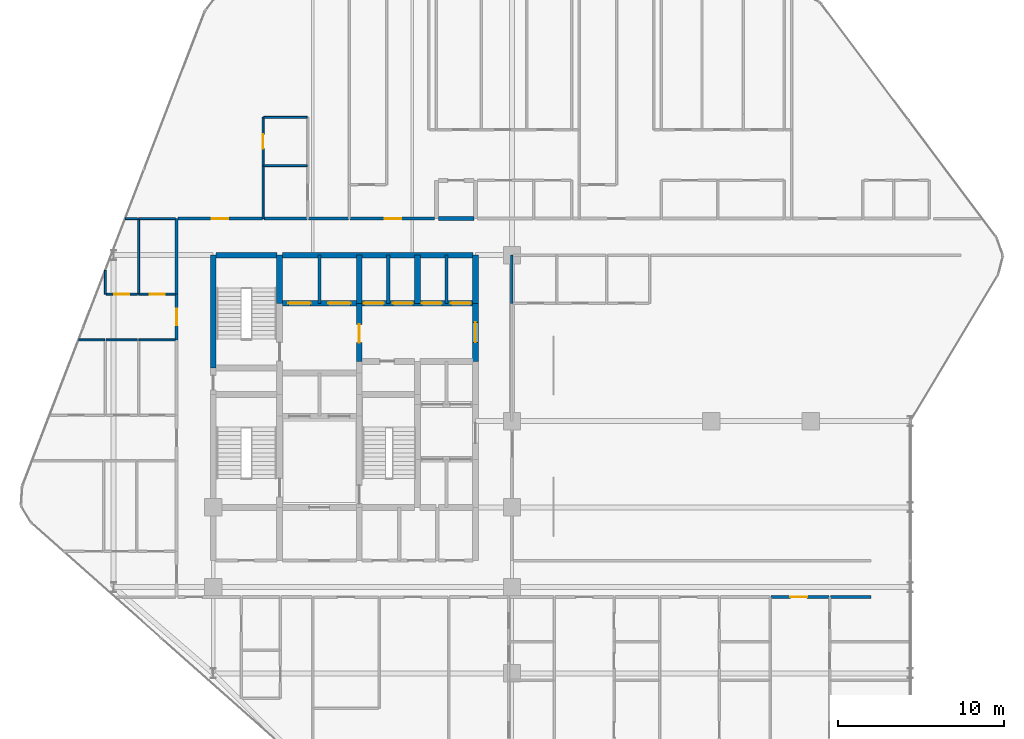
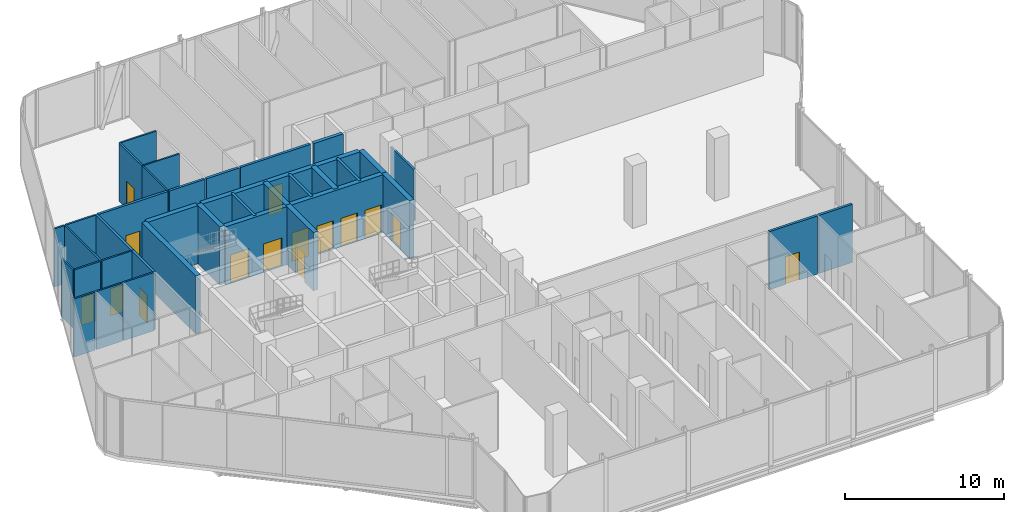
# One storey, part 26 of 29: 36 walls, 15 doors, 15 openings.
"""IFC4 building model written with IfcOpenShell, lengths in metres."""

from ifc_helpers import new_model, si_unit, direction, frame, frame_2d, origin, place, context, subcontext, project, spatial, rectangle, extrude, material, layer, layer_set, type_object, element, fill, save


model = new_model("IFC4")

# Units and contexts
model_context = context("Model", 3, precision=1e-05, world=origin(), true_north=direction((0.0, 1.0)))
body_context = subcontext(model_context, "Body", "Model", "MODEL_VIEW")
ifc_project = project(units=[si_unit("LENGTHUNIT", "METRE"), si_unit("AREAUNIT", "SQUARE_METRE"), si_unit("VOLUMEUNIT", "CUBIC_METRE"), si_unit("PLANEANGLEUNIT", "RADIAN"), si_unit("MASSUNIT", "GRAM", prefix="KILO")], contexts=[model_context])

# Site, building, storey
site_placement = place(None, origin())
site = spatial("IfcSite", under=ifc_project, at=site_placement, CompositionType="ELEMENT")
building_placement = place(site_placement, origin())
building = spatial("IfcBuilding", under=site, at=building_placement, Name="Keshet Zoharim Tower", CompositionType="ELEMENT")
storey_placement = place(building_placement, frame((0.0, 0.0, 120.5)))
storey = spatial("IfcBuildingStorey", under=building, at=storey_placement, Name="L29", CompositionType="ELEMENT", Elevation=120.5)

# Walls
ifc_material_1 = material(Name="Gypsum Plasterboard", Category="gypsum")
ifc_layer_1 = layer(ifc_material_1, 0.14990234375)
ifc_layer_set_1 = layer_set([ifc_layer_1], Name="Gypsum Plasterboard")
wall_type_1 = type_object("IfcWallType", Name="WL-CLIN-150", PredefinedType="STANDARD", material=ifc_layer_set_1)
wall_1_placement = place(storey_placement, frame((33.0, 35.0, 0.0), z_axis=(0.0, 0.0, 1.0), x_axis=(0.0, 1.0, 0.0)))
element("IfcWall", 1, at=wall_1_placement, inside=storey, type_object=wall_type_1, Name="L29 Interior Wall 072", PredefinedType="STANDARD", context=body_context, shape_type="SweptSolid", body=[
    extrude(rectangle(XDim=2.89990234375, YDim=0.14990234375, at=frame_2d((1.449951171875, 0.0))), origin(), (0.0, 0.0, 1.0), 3.97998046875),
])
ifc_material_2 = material(Name="Concrete C60/75", Category="concrete")
ifc_layer_2 = layer(ifc_material_2, 0.35009765625)
ifc_layer_set_2 = layer_set([ifc_layer_2], Name="Concrete C60/75")
wall_type_2 = type_object("IfcWallType", Name="WL-CORE-350", PredefinedType="SHEAR", material=ifc_layer_set_2)
wall_2_placement = place(storey_placement, frame((15.0, 31.10009765625, 0.0), z_axis=(0.0, 0.0, 1.0), x_axis=(0.0, 1.0, 0.0)))
element("IfcWall", 2, at=wall_2_placement, inside=storey, type_object=wall_type_2, Name="L29 Core Shear Wall 016", PredefinedType="SHEAR", context=body_context, shape_type="SweptSolid", body=[
    extrude(rectangle(XDim=6.7998046875, YDim=0.35009765625, at=frame_2d((3.39990234375, 0.0))), origin(), (0.0, 0.0, 1.0), 4.47998046875),
])
wall_3_placement = place(storey_placement, frame((19.0, 35.0, 0.0), z_axis=(0.0, 0.0, 1.0), x_axis=(0.0, 1.0, 0.0)))
element("IfcWall", 3, at=wall_3_placement, inside=storey, type_object=wall_type_2, Name="L29 Core Shear Wall 025", PredefinedType="SHEAR", context=body_context, shape_type="SweptSolid", body=[
    extrude(rectangle(XDim=2.89990234375, YDim=0.35009765625, at=frame_2d((1.449951171875, 0.0))), origin(), (0.0, 0.0, 1.0), 4.47998046875),
])

# Wall, opening, door
wall_4_placement = place(storey_placement, frame((23.800048828125, 31.5, 0.0), z_axis=(0.0, 0.0, 1.0), x_axis=(0.0, 1.0, 0.0)))
wall_4 = element("IfcWall", 4, at=wall_4_placement, inside=storey, type_object=wall_type_2, Name="L29 Core Shear Wall 041", PredefinedType="SHEAR", context=body_context, shape_type="SweptSolid", body=[
    extrude(rectangle(XDim=3.5, YDim=0.35009765625, at=frame_2d((1.75, 0.0))), origin(), (0.0, 0.0, 1.0), 4.47998046875),
])
opening_1_placement = place(wall_4_placement, frame((1.126953125, 0.0, 0.0)))
opening_1 = element("IfcOpeningElement", 5, at=opening_1_placement, cuts=wall_4, Name="Opening D-F611", PredefinedType="OPENING", context=body_context, shape_type="SweptSolid", body=[
    extrude(rectangle(XDim=1.10009765625, YDim=2.14990234375, at=frame_2d((0.550048828125, 1.074951171875))), frame((0.0, 0.18505859375, 0.0), z_axis=(0.0, -1.0, 0.0), x_axis=(1.0, 0.0, 0.0)), (0.0, 0.0, 1.0), 0.3701171875),
])
ifc_material_3 = material(Name="Hardwood Timber", Category="wood")
door_type_1 = type_object("IfcDoorType", Name="DR-FD60-110", OperationType="NOTDEFINED", PredefinedType="DOOR", material=ifc_material_3)
door_1_placement = place(opening_1_placement, origin())
door_1 = element("IfcDoor", 6, at=door_1_placement, inside=storey, type_object=door_type_1, Name="L29 Firefighting Lobby Fire Door", OperationType="SINGLE_SWING_LEFT", OverallHeight=2.14990234375, OverallWidth=1.10009765625, PredefinedType="DOOR", context=body_context, shape_type="SweptSolid", body=[
    extrude(rectangle(XDim=1.10009765625, YDim=2.14990234375, at=frame_2d((0.550048828125, 1.074951171875))), frame((0.0, 0.02490234375, 0.0), z_axis=(0.0, -1.0, 0.0), x_axis=(1.0, 0.0, 0.0)), (0.0, 0.0, 1.0), 0.050048828125),
])
fill(opening_1, door_1)

# Walls
for number, where, z_axis, x_axis, name in (
    (7, (23.800048828125, 35.0, 0.0), (0.0, 0.0, 1.0), (0.0, 1.0, 0.0), "L29 Core Shear Wall 042"),
    (8, (27.300048828125, 35.0, 0.0), (0.0, 0.0, 1.0), (0.0, 1.0, 0.0), "L29 Core Shear Wall 051"),
):
    element("IfcWall", number, at=place(storey_placement, frame(where, z_axis=z_axis, x_axis=x_axis)), inside=storey, type_object=wall_type_2, Name=name, PredefinedType="SHEAR", context=body_context, shape_type="SweptSolid", body=[
        extrude(rectangle(XDim=2.89990234375, YDim=0.35009765625, at=frame_2d((1.449951171875, 0.0))), origin(), (0.0, 0.0, 1.0), 4.47998046875),
    ])

# Wall, opening, door
wall_5_placement = place(storey_placement, frame((30.800048828125, 31.5, 0.0), z_axis=(0.0, 0.0, 1.0), x_axis=(0.0, 1.0, 0.0)))
wall_5 = element("IfcWall", 9, at=wall_5_placement, inside=storey, type_object=wall_type_2, Name="L29 Core Shear Wall 064", PredefinedType="SHEAR", context=body_context, shape_type="SweptSolid", body=[
    extrude(rectangle(XDim=3.5, YDim=0.35009765625, at=frame_2d((1.75, 0.0))), origin(), (0.0, 0.0, 1.0), 4.47998046875),
])
opening_2_placement = place(wall_5_placement, frame((1.14990234375, 0.0, 0.0)))
opening_2 = element("IfcOpeningElement", 10, at=opening_2_placement, cuts=wall_5, Name="Opening D-F612", PredefinedType="OPENING", context=body_context, shape_type="SweptSolid", body=[
    extrude(rectangle(XDim=1.199951171875, YDim=2.199951171875, at=frame_2d((0.60009765625, 1.10009765625))), frame((0.0, 0.18505859375, 0.0), z_axis=(0.0, -1.0, 0.0), x_axis=(1.0, 0.0, 0.0)), (0.0, 0.0, 1.0), 0.3701171875),
])
door_type_2 = type_object("IfcDoorType", Name="DR-FD60-120", OperationType="NOTDEFINED", PredefinedType="DOOR", material=ifc_material_3)
door_2_placement = place(opening_2_placement, origin())
door_2 = element("IfcDoor", 11, at=door_2_placement, inside=storey, type_object=door_type_2, Name="L29 North Lift Lobby East Fire Door", OperationType="SINGLE_SWING_LEFT", OverallHeight=2.199951171875, OverallWidth=1.199951171875, PredefinedType="DOOR", context=body_context, shape_type="SweptSolid", body=[
    extrude(rectangle(XDim=1.199951171875, YDim=2.199951171875, at=frame_2d((0.60009765625, 1.10009765625))), frame((0.0, 0.02490234375, 0.0), z_axis=(0.0, -1.0, 0.0), x_axis=(1.0, 0.0, 0.0)), (0.0, 0.0, 1.0), 0.050048828125),
])
fill(opening_2, door_2)

# Wall
wall_6_placement = place(storey_placement, frame((30.800048828125, 35.0, 0.0), z_axis=(0.0, 0.0, 1.0), x_axis=(0.0, 1.0, 0.0)))
element("IfcWall", 12, at=wall_6_placement, inside=storey, type_object=wall_type_2, Name="L29 Core Shear Wall 065", PredefinedType="SHEAR", context=body_context, shape_type="SweptSolid", body=[
    extrude(rectangle(XDim=2.89990234375, YDim=0.35009765625, at=frame_2d((1.449951171875, 0.0))), origin(), (0.0, 0.0, 1.0), 4.47998046875),
])

# Wall, openings, doors
wall_7_placement = place(storey_placement, frame((19.159912109375, 35.0, 0.0), z_axis=(0.0, 0.0, 1.0), x_axis=(1.0, 0.0, 0.0)))
wall_7 = element("IfcWall", 13, at=wall_7_placement, inside=storey, type_object=wall_type_2, Name="L29 Core Shear Wall 175", PredefinedType="SHEAR", context=body_context, shape_type="SweptSolid", body=[
    extrude(rectangle(XDim=11.47998046875, YDim=0.35009765625, at=frame_2d((5.739990234375, 0.0))), origin(), (0.0, 0.0, 1.0), 4.47998046875),
])
opening_3_placement = place(wall_7_placement, frame((0.364990234375, 0.0, 0.0)))
opening_3 = element("IfcOpeningElement", 14, at=opening_3_placement, cuts=wall_7, Name="Opening LD-02", PredefinedType="OPENING", context=body_context, shape_type="SweptSolid", body=[
    extrude(rectangle(XDim=1.35009765625, YDim=2.199951171875, at=frame_2d((0.675048828125, 1.10009765625))), frame((0.0, 0.18505859375, 0.0), z_axis=(0.0, -1.0, 0.0), x_axis=(1.0, 0.0, 0.0)), (0.0, 0.0, 1.0), 0.3701171875),
])
opening_4_placement = place(wall_7_placement, frame((2.764892578125, 0.0, 0.0)))
opening_4 = element("IfcOpeningElement", 15, at=opening_4_placement, cuts=wall_7, Name="Opening LD-02", PredefinedType="OPENING", context=body_context, shape_type="SweptSolid", body=[
    extrude(rectangle(XDim=1.35009765625, YDim=2.199951171875, at=frame_2d((0.675048828125, 1.10009765625))), frame((0.0, 0.18505859375, 0.0), z_axis=(0.0, -1.0, 0.0), x_axis=(1.0, 0.0, 0.0)), (0.0, 0.0, 1.0), 0.3701171875),
])
opening_5_placement = place(wall_7_placement, frame((4.9150390625, 0.0, 0.0)))
opening_5 = element("IfcOpeningElement", 16, at=opening_5_placement, cuts=wall_7, Name="Opening LD-03", PredefinedType="OPENING", context=body_context, shape_type="SweptSolid", body=[
    extrude(rectangle(XDim=1.199951171875, YDim=2.199951171875, at=frame_2d((0.60009765625, 1.10009765625))), frame((0.0, 0.18505859375, 0.0), z_axis=(0.0, -1.0, 0.0), x_axis=(1.0, 0.0, 0.0)), (0.0, 0.0, 1.0), 0.3701171875),
])
opening_6_placement = place(wall_7_placement, frame((6.6650390625, 0.0, 0.0)))
opening_6 = element("IfcOpeningElement", 17, at=opening_6_placement, cuts=wall_7, Name="Opening LD-03", PredefinedType="OPENING", context=body_context, shape_type="SweptSolid", body=[
    extrude(rectangle(XDim=1.199951171875, YDim=2.199951171875, at=frame_2d((0.60009765625, 1.10009765625))), frame((0.0, 0.18505859375, 0.0), z_axis=(0.0, -1.0, 0.0), x_axis=(1.0, 0.0, 0.0)), (0.0, 0.0, 1.0), 0.3701171875),
])
opening_7_placement = place(wall_7_placement, frame((8.4150390625, 0.0, 0.0)))
opening_7 = element("IfcOpeningElement", 18, at=opening_7_placement, cuts=wall_7, Name="Opening LD-03", PredefinedType="OPENING", context=body_context, shape_type="SweptSolid", body=[
    extrude(rectangle(XDim=1.199951171875, YDim=2.199951171875, at=frame_2d((0.60009765625, 1.10009765625))), frame((0.0, 0.18505859375, 0.0), z_axis=(0.0, -1.0, 0.0), x_axis=(1.0, 0.0, 0.0)), (0.0, 0.0, 1.0), 0.3701171875),
])
opening_8_placement = place(wall_7_placement, frame((10.159912109375, 0.0, 0.0)))
opening_8 = element("IfcOpeningElement", 19, at=opening_8_placement, cuts=wall_7, Name="Opening LD-03", PredefinedType="OPENING", context=body_context, shape_type="SweptSolid", body=[
    extrude(rectangle(XDim=1.199951171875, YDim=2.199951171875, at=frame_2d((0.60009765625, 1.10009765625))), frame((0.0, 0.18505859375, 0.0), z_axis=(0.0, -1.0, 0.0), x_axis=(1.0, 0.0, 0.0)), (0.0, 0.0, 1.0), 0.3701171875),
])
ifc_material_4 = material(Name="Steel S355", Category="steel")
door_type_3 = type_object("IfcDoorType", Name="DR-LD02-135", OperationType="DOUBLE_DOOR_SLIDING", PredefinedType="DOOR", material=ifc_material_4)
door_3_placement = place(opening_3_placement, origin())
door_3 = element("IfcDoor", 20, at=door_3_placement, inside=storey, type_object=door_type_3, Name="L29 Firefighting Lift Landing Door FF-01", OperationType="DOUBLE_DOOR_SLIDING", OverallHeight=2.199951171875, OverallWidth=1.35009765625, PredefinedType="DOOR", context=body_context, shape_type="SweptSolid", body=[
    extrude(rectangle(XDim=1.35009765625, YDim=2.199951171875, at=frame_2d((0.675048828125, 1.10009765625))), frame((0.0, 0.02490234375, 0.0), z_axis=(0.0, -1.0, 0.0), x_axis=(1.0, 0.0, 0.0)), (0.0, 0.0, 1.0), 0.050048828125),
])
fill(opening_3, door_3)
door_4_placement = place(opening_4_placement, origin())
door_4 = element("IfcDoor", 21, at=door_4_placement, inside=storey, type_object=door_type_3, Name="L29 Firefighting Lift Landing Door FF-02", OperationType="DOUBLE_DOOR_SLIDING", OverallHeight=2.199951171875, OverallWidth=1.35009765625, PredefinedType="DOOR", context=body_context, shape_type="SweptSolid", body=[
    extrude(rectangle(XDim=1.35009765625, YDim=2.199951171875, at=frame_2d((0.675048828125, 1.10009765625))), frame((0.0, 0.02490234375, 0.0), z_axis=(0.0, -1.0, 0.0), x_axis=(1.0, 0.0, 0.0)), (0.0, 0.0, 1.0), 0.050048828125),
])
fill(opening_4, door_4)
door_type_4 = type_object("IfcDoorType", Name="DR-LD03-120", OperationType="DOUBLE_DOOR_SLIDING", PredefinedType="DOOR", material=ifc_material_4)
door_5_placement = place(opening_5_placement, origin())
door_5 = element("IfcDoor", 22, at=door_5_placement, inside=storey, type_object=door_type_4, Name="L29 Passenger Lift Landing Door LF-01", OperationType="DOUBLE_DOOR_SLIDING", OverallHeight=2.199951171875, OverallWidth=1.199951171875, PredefinedType="DOOR", context=body_context, shape_type="SweptSolid", body=[
    extrude(rectangle(XDim=1.199951171875, YDim=2.199951171875, at=frame_2d((0.60009765625, 1.10009765625))), frame((0.0, 0.02490234375, 0.0), z_axis=(0.0, -1.0, 0.0), x_axis=(1.0, 0.0, 0.0)), (0.0, 0.0, 1.0), 0.050048828125),
])
fill(opening_5, door_5)
door_6_placement = place(opening_6_placement, origin())
door_6 = element("IfcDoor", 23, at=door_6_placement, inside=storey, type_object=door_type_4, Name="L29 Passenger Lift Landing Door LF-02", OperationType="DOUBLE_DOOR_SLIDING", OverallHeight=2.199951171875, OverallWidth=1.199951171875, PredefinedType="DOOR", context=body_context, shape_type="SweptSolid", body=[
    extrude(rectangle(XDim=1.199951171875, YDim=2.199951171875, at=frame_2d((0.60009765625, 1.10009765625))), frame((0.0, 0.02490234375, 0.0), z_axis=(0.0, -1.0, 0.0), x_axis=(1.0, 0.0, 0.0)), (0.0, 0.0, 1.0), 0.050048828125),
])
fill(opening_6, door_6)
door_7_placement = place(opening_7_placement, origin())
door_7 = element("IfcDoor", 24, at=door_7_placement, inside=storey, type_object=door_type_4, Name="L29 Passenger Lift Landing Door LF-03", OperationType="DOUBLE_DOOR_SLIDING", OverallHeight=2.199951171875, OverallWidth=1.199951171875, PredefinedType="DOOR", context=body_context, shape_type="SweptSolid", body=[
    extrude(rectangle(XDim=1.199951171875, YDim=2.199951171875, at=frame_2d((0.60009765625, 1.10009765625))), frame((0.0, 0.02490234375, 0.0), z_axis=(0.0, -1.0, 0.0), x_axis=(1.0, 0.0, 0.0)), (0.0, 0.0, 1.0), 0.050048828125),
])
fill(opening_7, door_7)
door_8_placement = place(opening_8_placement, origin())
door_8 = element("IfcDoor", 25, at=door_8_placement, inside=storey, type_object=door_type_4, Name="L29 Passenger Lift Landing Door LF-04", OperationType="DOUBLE_DOOR_SLIDING", OverallHeight=2.199951171875, OverallWidth=1.199951171875, PredefinedType="DOOR", context=body_context, shape_type="SweptSolid", body=[
    extrude(rectangle(XDim=1.199951171875, YDim=2.199951171875, at=frame_2d((0.60009765625, 1.10009765625))), frame((0.0, 0.02490234375, 0.0), z_axis=(0.0, -1.0, 0.0), x_axis=(1.0, 0.0, 0.0)), (0.0, 0.0, 1.0), 0.050048828125),
])
fill(opening_8, door_8)

# Walls
wall_8_placement = place(storey_placement, frame((15.159912109375, 37.89990234375, 0.0), z_axis=(0.0, 0.0, 1.0), x_axis=(1.0, 0.0, 0.0)))
element("IfcWall", 26, at=wall_8_placement, inside=storey, type_object=wall_type_2, Name="L29 Core Shear Wall 180", PredefinedType="SHEAR", context=body_context, shape_type="SweptSolid", body=[
    extrude(rectangle(XDim=3.68017578125, YDim=0.35009765625, at=frame_2d((1.840087890625, 0.0))), origin(), (0.0, 0.0, 1.0), 4.47998046875),
])
wall_9_placement = place(storey_placement, frame((19.159912109375, 37.89990234375, 0.0), z_axis=(0.0, 0.0, 1.0), x_axis=(1.0, 0.0, 0.0)))
element("IfcWall", 27, at=wall_9_placement, inside=storey, type_object=wall_type_2, Name="L29 Core Shear Wall 181", PredefinedType="SHEAR", context=body_context, shape_type="SweptSolid", body=[
    extrude(rectangle(XDim=11.47998046875, YDim=0.35009765625, at=frame_2d((5.739990234375, 0.0))), origin(), (0.0, 0.0, 1.0), 4.47998046875),
])

# Wall, opening, door
ifc_layer_3 = layer(ifc_material_1, 0.179931640625)
ifc_layer_set_3 = layer_set([ifc_layer_3], Name="Gypsum Plasterboard")
wall_type_3 = type_object("IfcWallType", Name="WL-CORR-180", PredefinedType="STANDARD", material=ifc_layer_set_3)
wall_10_placement = place(storey_placement, frame((12.800048828125, 32.800048828125, 0.0), z_axis=(0.0, 0.0, 1.0), x_axis=(0.0, 1.0, 0.0)))
wall_10 = element("IfcWall", 28, at=wall_10_placement, inside=storey, type_object=wall_type_3, Name="L29 Interior Wall 011", PredefinedType="STANDARD", context=body_context, shape_type="SweptSolid", body=[
    extrude(rectangle(XDim=2.75, YDim=0.179931640625, at=frame_2d((1.375, 0.0))), origin(), (0.0, 0.0, 1.0), 4.47998046875),
])
opening_9_placement = place(wall_10_placement, frame((0.875, 0.0, 0.0)))
opening_9 = element("IfcOpeningElement", 29, at=opening_9_placement, cuts=wall_10, Name="Opening D-F310", PredefinedType="OPENING", context=body_context, shape_type="SweptSolid", body=[
    extrude(rectangle(XDim=1.0, YDim=2.14990234375, at=frame_2d((0.5, 1.074951171875))), frame((0.0, 0.10009765625, 0.0), z_axis=(0.0, -1.0, 0.0), x_axis=(1.0, 0.0, 0.0)), (0.0, 0.0, 1.0), 0.199951171875),
])
door_type_5 = type_object("IfcDoorType", Name="DR-FD30-100", OperationType="NOTDEFINED", PredefinedType="DOOR", material=ifc_material_3)
door_9_placement = place(opening_9_placement, origin())
door_9 = element("IfcDoor", 30, at=door_9_placement, inside=storey, type_object=door_type_5, Name="Apartment 2912 Entrance Door", OperationType="SINGLE_SWING_RIGHT", OverallHeight=2.14990234375, OverallWidth=1.0, PredefinedType="DOOR", context=body_context, shape_type="SweptSolid", body=[
    extrude(rectangle(XDim=1.0, YDim=2.14990234375, at=frame_2d((0.5, 1.074951171875))), frame((0.0, 0.02490234375, 0.0), z_axis=(0.0, -1.0, 0.0), x_axis=(1.0, 0.0, 0.0)), (0.0, 0.0, 1.0), 0.050048828125),
])
fill(opening_9, door_9)

# Wall
wall_11_placement = place(storey_placement, frame((12.800048828125, 35.550048828125, 0.0), z_axis=(0.0, 0.0, 1.0), x_axis=(0.0, 1.0, 0.0)))
element("IfcWall", 31, at=wall_11_placement, inside=storey, type_object=wall_type_3, Name="L29 Interior Wall 012", PredefinedType="STANDARD", context=body_context, shape_type="SweptSolid", body=[
    extrude(rectangle(XDim=4.550048828125, YDim=0.179931640625, at=frame_2d((2.27490234375, 0.0))), origin(), (0.0, 0.0, 1.0), 4.47998046875),
])

# Wall, opening, door
wall_12_placement = place(storey_placement, frame((48.594970703125, 17.300048828125, 0.0), z_axis=(0.0, 0.0, 1.0), x_axis=(1.0, 0.0, 0.0)))
wall_12 = element("IfcWall", 32, at=wall_12_placement, inside=storey, type_object=wall_type_3, Name="L29 Interior Wall 142", PredefinedType="STANDARD", context=body_context, shape_type="SweptSolid", body=[
    extrude(rectangle(XDim=3.510009765625, YDim=0.179931640625, at=frame_2d((1.7548828125, 0.0))), origin(), (0.0, 0.0, 1.0), 4.47998046875),
])
opening_10_placement = place(wall_12_placement, frame((1.18505859375, 0.0, 0.0)))
opening_10 = element("IfcOpeningElement", 33, at=opening_10_placement, cuts=wall_12, Name="Opening D-F310", PredefinedType="OPENING", context=body_context, shape_type="SweptSolid", body=[
    extrude(rectangle(XDim=1.0, YDim=2.14990234375, at=frame_2d((0.5, 1.074951171875))), frame((0.0, 0.10009765625, 0.0), z_axis=(0.0, -1.0, 0.0), x_axis=(1.0, 0.0, 0.0)), (0.0, 0.0, 1.0), 0.199951171875),
])
door_10_placement = place(opening_10_placement, origin())
door_10 = element("IfcDoor", 34, at=door_10_placement, inside=storey, type_object=door_type_5, Name="Apartment 2905 Entrance Door", OperationType="SINGLE_SWING_RIGHT", OverallHeight=2.14990234375, OverallWidth=1.0, PredefinedType="DOOR", context=body_context, shape_type="SweptSolid", body=[
    extrude(rectangle(XDim=1.0, YDim=2.14990234375, at=frame_2d((0.5, 1.074951171875))), frame((0.0, 0.02490234375, 0.0), z_axis=(0.0, -1.0, 0.0), x_axis=(1.0, 0.0, 0.0)), (0.0, 0.0, 1.0), 0.050048828125),
])
fill(opening_10, door_10)

# Wall
wall_13_placement = place(storey_placement, frame((52.195068359375, 17.300048828125, 0.0), z_axis=(0.0, 0.0, 1.0), x_axis=(1.0, 0.0, 0.0)))
element("IfcWall", 35, at=wall_13_placement, inside=storey, type_object=wall_type_3, Name="L29 Interior Wall 143", PredefinedType="STANDARD", context=body_context, shape_type="SweptSolid", body=[
    extrude(rectangle(XDim=2.44482421875, YDim=0.179931640625, at=frame_2d((1.222412109375, 0.0))), origin(), (0.0, 0.0, 1.0), 4.47998046875),
])

# Wall, opening, door
wall_14_placement = place(storey_placement, frame((12.875, 40.10009765625, 0.0), z_axis=(0.0, 0.0, 1.0), x_axis=(1.0, 0.0, 0.0)))
wall_14 = element("IfcWall", 36, at=wall_14_placement, inside=storey, type_object=wall_type_3, Name="L29 Interior Wall 187", PredefinedType="STANDARD", context=body_context, shape_type="SweptSolid", body=[
    extrude(rectangle(XDim=5.080078125, YDim=0.179931640625, at=frame_2d((2.5400390625, 0.0))), origin(), (0.0, 0.0, 1.0), 4.47998046875),
])
opening_11_placement = place(wall_14_placement, frame((2.02490234375, 0.0, 0.0)))
opening_11 = element("IfcOpeningElement", 37, at=opening_11_placement, cuts=wall_14, Name="Opening D-F310", PredefinedType="OPENING", context=body_context, shape_type="SweptSolid", body=[
    extrude(rectangle(XDim=1.0, YDim=2.14990234375, at=frame_2d((0.5, 1.074951171875))), frame((0.0, 0.10009765625, 0.0), z_axis=(0.0, -1.0, 0.0), x_axis=(1.0, 0.0, 0.0)), (0.0, 0.0, 1.0), 0.199951171875),
])
door_11_placement = place(opening_11_placement, origin())
door_11 = element("IfcDoor", 38, at=door_11_placement, inside=storey, type_object=door_type_5, Name="Apartment 2906 Entrance Door", OperationType="SINGLE_SWING_LEFT", OverallHeight=2.14990234375, OverallWidth=1.0, PredefinedType="DOOR", context=body_context, shape_type="SweptSolid", body=[
    extrude(rectangle(XDim=1.0, YDim=2.14990234375, at=frame_2d((0.5, 1.074951171875))), frame((0.0, 0.02490234375, 0.0), z_axis=(0.0, -1.0, 0.0), x_axis=(1.0, 0.0, 0.0)), (0.0, 0.0, 1.0), 0.050048828125),
])
fill(opening_11, door_11)

# Walls
wall_15_placement = place(storey_placement, frame((18.044921875, 40.10009765625, 0.0), z_axis=(0.0, 0.0, 1.0), x_axis=(1.0, 0.0, 0.0)))
element("IfcWall", 39, at=wall_15_placement, inside=storey, type_object=wall_type_3, Name="L29 Interior Wall 188", PredefinedType="STANDARD", context=body_context, shape_type="SweptSolid", body=[
    extrude(rectangle(XDim=2.610107421875, YDim=0.179931640625, at=frame_2d((1.30517578125, 0.0))), origin(), (0.0, 0.0, 1.0), 4.47998046875),
])
wall_16_placement = place(storey_placement, frame((20.7451171875, 40.10009765625, 0.0), z_axis=(0.0, 0.0, 1.0), x_axis=(1.0, 0.0, 0.0)))
element("IfcWall", 40, at=wall_16_placement, inside=storey, type_object=wall_type_3, Name="L29 Interior Wall 189", PredefinedType="STANDARD", context=body_context, shape_type="SweptSolid", body=[
    extrude(rectangle(XDim=2.409912109375, YDim=0.179931640625, at=frame_2d((1.205078125, 0.0))), origin(), (0.0, 0.0, 1.0), 4.47998046875),
])

# Wall, opening, door
wall_17_placement = place(storey_placement, frame((23.2451171875, 40.10009765625, 0.0), z_axis=(0.0, 0.0, 1.0), x_axis=(1.0, 0.0, 0.0)))
wall_17 = element("IfcWall", 41, at=wall_17_placement, inside=storey, type_object=wall_type_3, Name="L29 Interior Wall 190", PredefinedType="STANDARD", context=body_context, shape_type="SweptSolid", body=[
    extrude(rectangle(XDim=5.094970703125, YDim=0.179931640625, at=frame_2d((2.54736328125, 0.0))), origin(), (0.0, 0.0, 1.0), 4.47998046875),
])
opening_12_placement = place(wall_17_placement, frame((2.080078125, 0.0, 0.0)))
opening_12 = element("IfcOpeningElement", 42, at=opening_12_placement, cuts=wall_17, Name="Opening D-F310", PredefinedType="OPENING", context=body_context, shape_type="SweptSolid", body=[
    extrude(rectangle(XDim=1.0, YDim=2.14990234375, at=frame_2d((0.5, 1.074951171875))), frame((0.0, 0.10009765625, 0.0), z_axis=(0.0, -1.0, 0.0), x_axis=(1.0, 0.0, 0.0)), (0.0, 0.0, 1.0), 0.199951171875),
])
door_12_placement = place(opening_12_placement, origin())
door_12 = element("IfcDoor", 43, at=door_12_placement, inside=storey, type_object=door_type_5, Name="Apartment 2907 Entrance Door", OperationType="SINGLE_SWING_RIGHT", OverallHeight=2.14990234375, OverallWidth=1.0, PredefinedType="DOOR", context=body_context, shape_type="SweptSolid", body=[
    extrude(rectangle(XDim=1.0, YDim=2.14990234375, at=frame_2d((0.5, 1.074951171875))), frame((0.0, 0.02490234375, 0.0), z_axis=(0.0, -1.0, 0.0), x_axis=(1.0, 0.0, 0.0)), (0.0, 0.0, 1.0), 0.050048828125),
])
fill(opening_12, door_12)

# Walls
ifc_material_5 = material(Name="Concrete C50/60", Category="concrete")
ifc_layer_4 = layer(ifc_material_5, 0.199951171875)
ifc_layer_set_4 = layer_set([ifc_layer_4], Name="Concrete C50/60")
wall_type_4 = type_object("IfcWallType", Name="WL-FIRE-200", PredefinedType="STANDARD", material=ifc_layer_set_4)
for number, where, z_axis, x_axis, name in (
    (44, (21.39990234375, 35.0, 0.0), (0.0, 0.0, 1.0), (0.0, 1.0, 0.0), "L29 Interior Wall 033"),
    (45, (25.550048828125, 35.0, 0.0), (0.0, 0.0, 1.0), (0.0, 1.0, 0.0), "L29 Interior Wall 045"),
    (46, (29.050048828125, 35.0, 0.0), (0.0, 0.0, 1.0), (0.0, 1.0, 0.0), "L29 Interior Wall 058"),
):
    element("IfcWall", number, at=place(storey_placement, frame(where, z_axis=z_axis, x_axis=x_axis)), inside=storey, type_object=wall_type_4, Name=name, PredefinedType="STANDARD", context=body_context, shape_type="SweptSolid", body=[
        extrude(rectangle(XDim=2.89990234375, YDim=0.199951171875, at=frame_2d((1.449951171875, 0.0))), origin(), (0.0, 0.0, 1.0), 4.47998046875),
    ])
ifc_layer_5 = layer(ifc_material_5, 0.25)
ifc_layer_set_5 = layer_set([ifc_layer_5], Name="Concrete C50/60")
wall_type_5 = type_object("IfcWallType", Name="WL-MAMAD-250", PredefinedType="STANDARD", material=ifc_layer_set_5)
wall_18_placement = place(storey_placement, frame((28.56005859375, 40.10009765625, 0.0), z_axis=(0.0, 0.0, 1.0), x_axis=(1.0, 0.0, 0.0)))
element("IfcWall", 47, at=wall_18_placement, inside=storey, type_object=wall_type_5, Name="L29 Interior Wall 191", PredefinedType="STANDARD", context=body_context, shape_type="SweptSolid", body=[
    extrude(rectangle(XDim=2.14404296875, YDim=0.25, at=frame_2d((1.072021484375, 0.0))), origin(), (0.0, 0.0, 1.0), 4.47998046875),
])
ifc_layer_6 = layer(ifc_material_1, 0.1201171875)
ifc_layer_set_6 = layer_set([ifc_layer_6], Name="Gypsum Plasterboard")
wall_type_6 = type_object("IfcWallType", Name="WL-PART-120", PredefinedType="PARTITIONING", material=ifc_layer_set_6)
wall_19_placement = place(storey_placement, frame((8.5, 35.550048828125, 0.0), z_axis=(0.0, 0.0, 1.0), x_axis=(0.0, 1.0, 0.0)))
element("IfcWall", 48, at=wall_19_placement, inside=storey, type_object=wall_type_6, Name="L29 Interior Wall 003", PredefinedType="PARTITIONING", context=body_context, shape_type="SweptSolid", body=[
    extrude(rectangle(XDim=1.43994140625, YDim=0.1201171875, at=frame_2d((0.719970703125, 0.0))), origin(), (0.0, 0.0, 1.0), 4.47998046875),
])
wall_20_placement = place(storey_placement, frame((18.0, 40.10009765625, 0.0), z_axis=(0.0, 0.0, 1.0), x_axis=(0.0, 1.0, 0.0)))
element("IfcWall", 49, at=wall_20_placement, inside=storey, type_object=wall_type_6, Name="L29 Interior Wall 019", PredefinedType="PARTITIONING", context=body_context, shape_type="SweptSolid", body=[
    extrude(rectangle(XDim=3.199951171875, YDim=0.1201171875, at=frame_2d((1.60009765625, 0.0))), origin(), (0.0, 0.0, 1.0), 4.47998046875),
])
wall_21_placement = place(storey_placement, frame((6.89404296875, 32.800048828125, 0.0), z_axis=(0.0, 0.0, 1.0), x_axis=(1.0, 0.0, 0.0)))
element("IfcWall", 50, at=wall_21_placement, inside=storey, type_object=wall_type_6, Name="L29 Interior Wall 172", PredefinedType="PARTITIONING", context=body_context, shape_type="SweptSolid", body=[
    extrude(rectangle(XDim=1.56103515625, YDim=0.1201171875, at=frame_2d((0.780517578125, 0.0))), origin(), (0.0, 0.0, 1.0), 4.47998046875),
])
wall_22_placement = place(storey_placement, frame((8.544921875, 32.800048828125, 0.0), z_axis=(0.0, 0.0, 1.0), x_axis=(1.0, 0.0, 0.0)))
element("IfcWall", 51, at=wall_22_placement, inside=storey, type_object=wall_type_6, Name="L29 Interior Wall 173", PredefinedType="PARTITIONING", context=body_context, shape_type="SweptSolid", body=[
    extrude(rectangle(XDim=1.88818359375, YDim=0.1201171875, at=frame_2d((0.944091796875, 0.0))), origin(), (0.0, 0.0, 1.0), 4.47998046875),
])

# Wall, opening, door
wall_23_placement = place(storey_placement, frame((8.544921875, 35.550048828125, 0.0), z_axis=(0.0, 0.0, 1.0), x_axis=(1.0, 0.0, 0.0)))
wall_23 = element("IfcWall", 52, at=wall_23_placement, inside=storey, type_object=wall_type_6, Name="L29 Interior Wall 178", PredefinedType="PARTITIONING", context=body_context, shape_type="SweptSolid", body=[
    extrude(rectangle(XDim=1.88818359375, YDim=0.1201171875, at=frame_2d((0.944091796875, 0.0))), origin(), (0.0, 0.0, 1.0), 4.47998046875),
])
opening_13_placement = place(wall_23_placement, frame((0.493896484375, 0.0, 0.0)))
opening_13 = element("IfcOpeningElement", 53, at=opening_13_placement, cuts=wall_23, Name="Opening D-IN90", PredefinedType="OPENING", context=body_context, shape_type="SweptSolid", body=[
    extrude(rectangle(XDim=0.89990234375, YDim=2.14990234375, at=frame_2d((0.449951171875, 1.074951171875))), frame((0.0, 0.070068359375, 0.0), z_axis=(0.0, -1.0, 0.0), x_axis=(1.0, 0.0, 0.0)), (0.0, 0.0, 1.0), 0.14013671875),
])
door_type_6 = type_object("IfcDoorType", Name="DR-INT-090", OperationType="NOTDEFINED", PredefinedType="DOOR", material=ifc_material_3)
door_13_placement = place(opening_13_placement, origin())
door_13 = element("IfcDoor", 54, at=door_13_placement, inside=storey, type_object=door_type_6, Name="Apartment 2912 Kitchen Door", OperationType="SINGLE_SWING_LEFT", OverallHeight=2.14990234375, OverallWidth=0.89990234375, PredefinedType="DOOR", context=body_context, shape_type="SweptSolid", body=[
    extrude(rectangle(XDim=0.89990234375, YDim=2.14990234375, at=frame_2d((0.449951171875, 1.074951171875))), frame((0.0, 0.02490234375, 0.0), z_axis=(0.0, -1.0, 0.0), x_axis=(1.0, 0.0, 0.0)), (0.0, 0.0, 1.0), 0.050048828125),
])
fill(opening_13, door_13)

# Walls
wall_24_placement = place(storey_placement, frame((9.701904296875, 40.10009765625, 0.0), z_axis=(0.0, 0.0, 1.0), x_axis=(1.0, 0.0, 0.0)))
element("IfcWall", 55, at=wall_24_placement, inside=storey, type_object=wall_type_6, Name="L29 Interior Wall 185", PredefinedType="PARTITIONING", context=body_context, shape_type="SweptSolid", body=[
    extrude(rectangle(XDim=0.731201171875, YDim=0.1201171875, at=frame_2d((0.36572265625, 0.0))), origin(), (0.0, 0.0, 1.0), 4.47998046875),
])
ifc_layer_7 = layer(ifc_material_1, 0.1201171875)
ifc_layer_set_7 = layer_set([ifc_layer_7], Name="Gypsum Plasterboard")
wall_type_7 = type_object("IfcWallType", Name="WL-WET-120", PredefinedType="PARTITIONING", material=ifc_layer_set_7)
wall_25_placement = place(storey_placement, frame((10.5, 35.550048828125, 0.0), z_axis=(0.0, 0.0, 1.0), x_axis=(0.0, 1.0, 0.0)))
element("IfcWall", 56, at=wall_25_placement, inside=storey, type_object=wall_type_7, Name="L29 Interior Wall 006", PredefinedType="PARTITIONING", context=body_context, shape_type="SweptSolid", body=[
    extrude(rectangle(XDim=4.550048828125, YDim=0.1201171875, at=frame_2d((2.27490234375, 0.0))), origin(), (0.0, 0.0, 1.0), 4.47998046875),
])

# Wall, opening, door
wall_26_placement = place(storey_placement, frame((18.0, 43.300048828125, 0.0), z_axis=(0.0, 0.0, 1.0), x_axis=(0.0, 1.0, 0.0)))
wall_26 = element("IfcWall", 57, at=wall_26_placement, inside=storey, type_object=wall_type_7, Name="L29 Interior Wall 020", PredefinedType="PARTITIONING", context=body_context, shape_type="SweptSolid", body=[
    extrude(rectangle(XDim=2.89990234375, YDim=0.1201171875, at=frame_2d((1.449951171875, 0.0))), origin(), (0.0, 0.0, 1.0), 4.47998046875),
])
opening_14_placement = place(wall_26_placement, frame((1.0, 0.0, 0.0)))
opening_14 = element("IfcOpeningElement", 58, at=opening_14_placement, cuts=wall_26, Name="Opening D-WT90", PredefinedType="OPENING", context=body_context, shape_type="SweptSolid", body=[
    extrude(rectangle(XDim=0.89990234375, YDim=2.10009765625, at=frame_2d((0.449951171875, 1.050048828125))), frame((0.0, 0.070068359375, 0.0), z_axis=(0.0, -1.0, 0.0), x_axis=(1.0, 0.0, 0.0)), (0.0, 0.0, 1.0), 0.14013671875),
])
door_type_7 = type_object("IfcDoorType", Name="DR-WET-090", OperationType="NOTDEFINED", PredefinedType="DOOR", material=ifc_material_3)
door_14_placement = place(opening_14_placement, origin())
door_14 = element("IfcDoor", 59, at=door_14_placement, inside=storey, type_object=door_type_7, Name="Apartment 2906 Bathroom Door", OperationType="SINGLE_SWING_LEFT", OverallHeight=2.10009765625, OverallWidth=0.89990234375, PredefinedType="DOOR", context=body_context, shape_type="SweptSolid", body=[
    extrude(rectangle(XDim=0.89990234375, YDim=2.10009765625, at=frame_2d((0.449951171875, 1.050048828125))), frame((0.0, 0.02490234375, 0.0), z_axis=(0.0, -1.0, 0.0), x_axis=(1.0, 0.0, 0.0)), (0.0, 0.0, 1.0), 0.050048828125),
])
fill(opening_14, door_14)

# Wall
wall_27_placement = place(storey_placement, frame((10.52294921875, 32.800048828125, 0.0), z_axis=(0.0, 0.0, 1.0), x_axis=(1.0, 0.0, 0.0)))
element("IfcWall", 60, at=wall_27_placement, inside=storey, type_object=wall_type_7, Name="L29 Interior Wall 174", PredefinedType="PARTITIONING", context=body_context, shape_type="SweptSolid", body=[
    extrude(rectangle(XDim=2.2021484375, YDim=0.1201171875, at=frame_2d((1.10107421875, 0.0))), origin(), (0.0, 0.0, 1.0), 4.47998046875),
])

# Wall, opening, door
wall_28_placement = place(storey_placement, frame((10.52294921875, 35.550048828125, 0.0), z_axis=(0.0, 0.0, 1.0), x_axis=(1.0, 0.0, 0.0)))
wall_28 = element("IfcWall", 61, at=wall_28_placement, inside=storey, type_object=wall_type_7, Name="L29 Interior Wall 179", PredefinedType="PARTITIONING", context=body_context, shape_type="SweptSolid", body=[
    extrude(rectangle(XDim=2.2021484375, YDim=0.1201171875, at=frame_2d((1.10107421875, 0.0))), origin(), (0.0, 0.0, 1.0), 4.47998046875),
])
opening_15_placement = place(wall_28_placement, frame((0.666015625, 0.0, 0.0)))
opening_15 = element("IfcOpeningElement", 62, at=opening_15_placement, cuts=wall_28, Name="Opening D-WT90", PredefinedType="OPENING", context=body_context, shape_type="SweptSolid", body=[
    extrude(rectangle(XDim=0.89990234375, YDim=2.10009765625, at=frame_2d((0.449951171875, 1.050048828125))), frame((0.0, 0.070068359375, 0.0), z_axis=(0.0, -1.0, 0.0), x_axis=(1.0, 0.0, 0.0)), (0.0, 0.0, 1.0), 0.14013671875),
])
door_15_placement = place(opening_15_placement, origin())
door_15 = element("IfcDoor", 63, at=door_15_placement, inside=storey, type_object=door_type_7, Name="Apartment 2912 Bathroom Door", OperationType="SINGLE_SWING_RIGHT", OverallHeight=2.10009765625, OverallWidth=0.89990234375, PredefinedType="DOOR", context=body_context, shape_type="SweptSolid", body=[
    extrude(rectangle(XDim=0.89990234375, YDim=2.10009765625, at=frame_2d((0.449951171875, 1.050048828125))), frame((0.0, 0.02490234375, 0.0), z_axis=(0.0, -1.0, 0.0), x_axis=(1.0, 0.0, 0.0)), (0.0, 0.0, 1.0), 0.050048828125),
])
fill(opening_15, door_15)

# Walls
wall_29_placement = place(storey_placement, frame((10.52294921875, 40.10009765625, 0.0), z_axis=(0.0, 0.0, 1.0), x_axis=(1.0, 0.0, 0.0)))
element("IfcWall", 64, at=wall_29_placement, inside=storey, type_object=wall_type_7, Name="L29 Interior Wall 186", PredefinedType="PARTITIONING", context=body_context, shape_type="SweptSolid", body=[
    extrude(rectangle(XDim=2.2021484375, YDim=0.1201171875, at=frame_2d((1.10107421875, 0.0))), origin(), (0.0, 0.0, 1.0), 4.47998046875),
])
for number, where, z_axis, x_axis, name in (
    (65, (18.044921875, 43.300048828125, 0.0), (0.0, 0.0, 1.0), (1.0, 0.0, 0.0), "L29 Interior Wall 211"),
    (66, (18.044921875, 46.199951171875, 0.0), (0.0, 0.0, 1.0), (1.0, 0.0, 0.0), "L29 Interior Wall 218"),
):
    element("IfcWall", number, at=place(storey_placement, frame(where, z_axis=z_axis, x_axis=x_axis)), inside=storey, type_object=wall_type_7, Name=name, PredefinedType="PARTITIONING", context=body_context, shape_type="SweptSolid", body=[
        extrude(rectangle(XDim=2.610107421875, YDim=0.1201171875, at=frame_2d((1.30517578125, 0.0))), origin(), (0.0, 0.0, 1.0), 4.47998046875),
    ])

save(model, "model.ifc")
